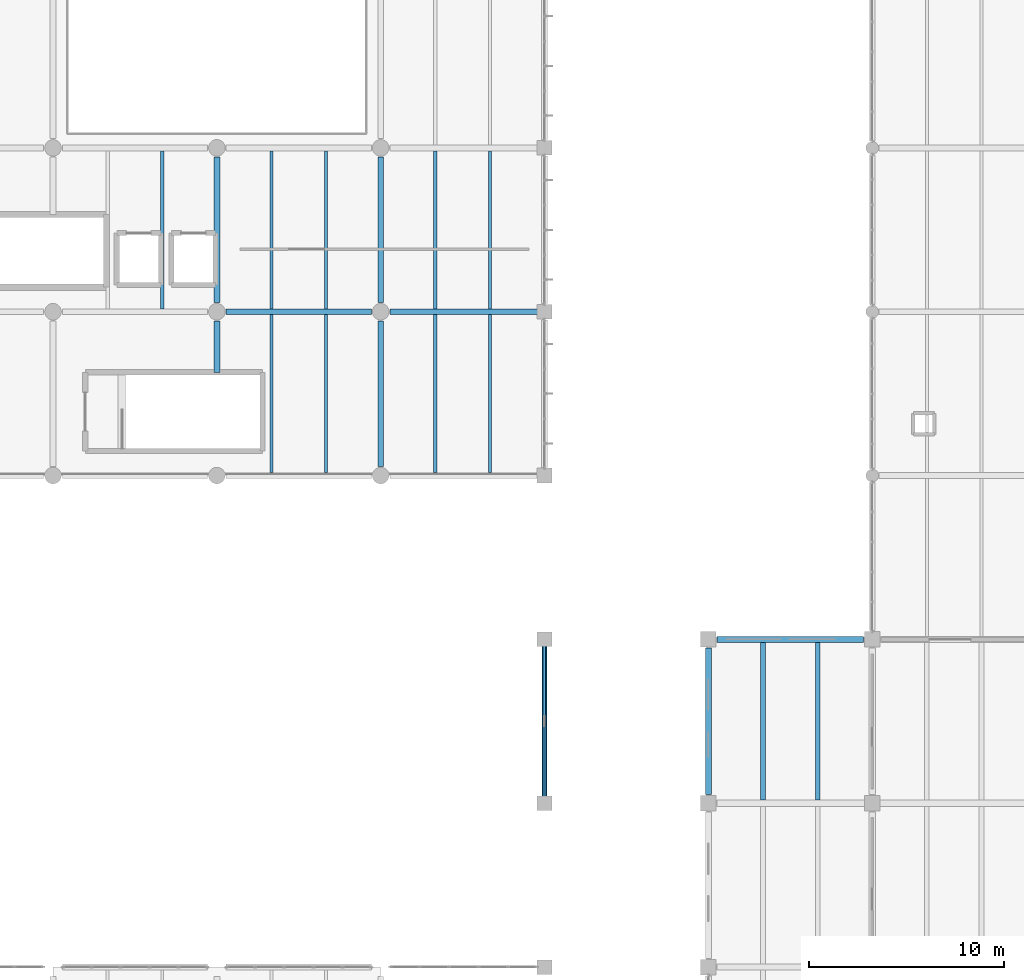
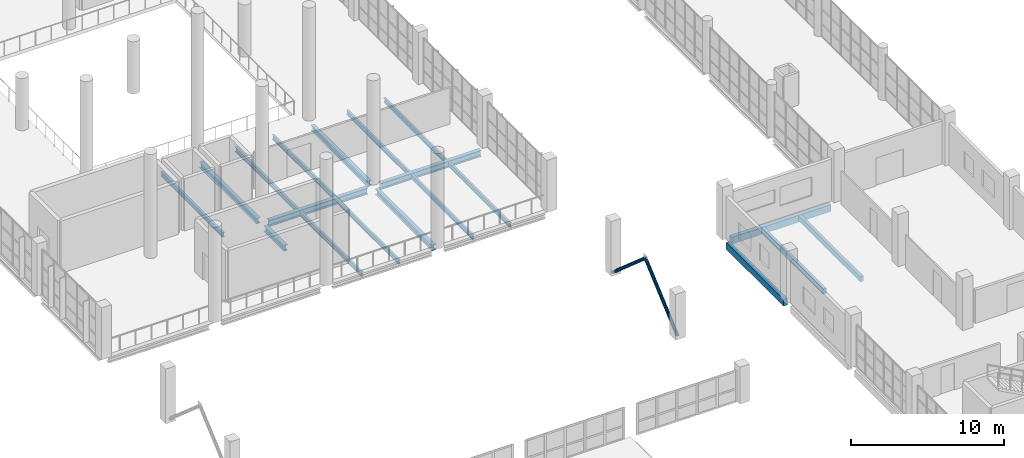
# One storey, part 30 of 177: 19 beams, 2 members.
"""IFC4 building model written with IfcOpenShell, lengths in metres."""

from ifc_helpers import new_model, si_unit, direction, frame, origin, origin_2d, place, context, subcontext, project, spatial, rectangle, hollow_circle, i_section, extrude, material, material_profile, profile_set, type_object, element, save


model = new_model("IFC4")

# Units and contexts
model_context = context("Model", 3, precision=1e-05, world=origin(), true_north=direction((0.0, 1.0)))
body_context = subcontext(model_context, "Body", "Model", "MODEL_VIEW")
ifc_project = project(units=[si_unit("LENGTHUNIT", "METRE"), si_unit("AREAUNIT", "SQUARE_METRE"), si_unit("VOLUMEUNIT", "CUBIC_METRE"), si_unit("PLANEANGLEUNIT", "RADIAN"), si_unit("MASSUNIT", "GRAM", prefix="KILO"), si_unit("THERMODYNAMICTEMPERATUREUNIT", "KELVIN"), si_unit("POWERUNIT", "WATT")], contexts=[model_context])

# Site, building, storey
site_placement = place(None, origin())
site = spatial("IfcSite", under=ifc_project, at=site_placement, CompositionType="ELEMENT")
building_placement = place(site_placement, origin())
building = spatial("IfcBuilding", under=site, at=building_placement, Name="Mavoryth Pier Ferry Terminal", CompositionType="ELEMENT")
storey_placement = place(building_placement, frame((0.0, 0.0, 5.43994140625)))
storey = spatial("IfcBuildingStorey", under=building, at=storey_placement, Name="L01", CompositionType="ELEMENT", Elevation=5.43994140625)

# Beams
ifc_material_1 = material(Name="Steel S355J2", Category="steel")
ifc_material_profile_1 = material_profile(ifc_material_1, i_section(OverallWidth=0.300048828125, OverallDepth=0.43994140625, WebThickness=0.011474609375, FlangeThickness=0.02099609375, FilletRadius=0.027099609375, at=origin_2d()), Name="HEA 450", Category="steel")
ifc_profile_set_1 = profile_set([ifc_material_profile_1], Name="Steel S355J2 - HEA 450")
beam_type_1 = type_object("IfcBeamType", Name="Beam-Steel-HEA450", PredefinedType="BEAM", material=ifc_profile_set_1)
beam_1_placement = place(storey_placement, frame((16.800048828125, 52.47998046875, -0.5), z_axis=(0.0, 1.0, 0.0), x_axis=(-1.0, 0.0, 0.0)))
element("IfcBeam", 1, at=beam_1_placement, inside=storey, type_object=beam_type_1, Name="Beam B01-SB03-0092", PredefinedType="BEAM", context=body_context, shape_type="SweptSolid", body=[
    extrude(i_section(OverallWidth=0.300048828125, OverallDepth=0.43994140625, WebThickness=0.011474609375, FlangeThickness=0.02099609375, FilletRadius=0.027099609375, at=origin_2d()), origin(), (0.0, 0.0, 1.0), 2.64501953125),
])
for number, where, z_axis, x_axis, name in (
    (2, (16.800048828125, 56.074951171875, -0.5), (0.0, 1.0, 0.0), (-1.0, 0.0, 0.0), "Beam B01-SB03-0093"),
    (3, (25.199951171875, 47.675048828125, -0.5), (0.0, 1.0, 0.0), (-1.0, 0.0, 0.0), "Beam B01-SB03-0097"),
    (4, (25.199951171875, 56.074951171875, -0.5), (0.0, 1.0, 0.0), (-1.0, 0.0, 0.0), "Beam B01-SB03-0098"),
):
    element("IfcBeam", number, at=place(storey_placement, frame(where, z_axis=z_axis, x_axis=x_axis)), inside=storey, type_object=beam_type_1, Name=name, PredefinedType="BEAM", context=body_context, shape_type="SweptSolid", body=[
        extrude(i_section(OverallWidth=0.300048828125, OverallDepth=0.43994140625, WebThickness=0.011474609375, FlangeThickness=0.02099609375, FilletRadius=0.027099609375, at=origin_2d()), origin(), (0.0, 0.0, 1.0), 7.449951171875),
    ])
ifc_material_profile_2 = material_profile(ifc_material_1, i_section(OverallWidth=0.300048828125, OverallDepth=0.5, WebThickness=0.014404296875, FlangeThickness=0.028076171875, FilletRadius=0.027099609375, at=origin_2d()), Name="HEB 500", Category="steel")
ifc_profile_set_2 = profile_set([ifc_material_profile_2], Name="Steel S355J2 - HEB 500")
beam_type_2 = type_object("IfcBeamType", Name="Beam-Steel-HEB500", PredefinedType="BEAM", material=ifc_profile_set_2)
beam_2_placement = place(storey_placement, frame((17.27490234375, 55.60009765625, -0.530029296875), z_axis=(1.0, 0.0, 0.0), x_axis=(0.0, 1.0, 0.0)))
element("IfcBeam", 5, at=beam_2_placement, inside=storey, type_object=beam_type_2, Name="Beam B01-SB01-0054", PredefinedType="BEAM", context=body_context, shape_type="SweptSolid", body=[
    extrude(i_section(OverallWidth=0.300048828125, OverallDepth=0.5, WebThickness=0.014404296875, FlangeThickness=0.028076171875, FilletRadius=0.027099609375, at=origin_2d()), origin(), (0.0, 0.0, 1.0), 7.4501953125),
])
beam_3_placement = place(storey_placement, frame((25.675048828125, 55.60009765625, -0.530029296875), z_axis=(1.0, 0.0, 0.0), x_axis=(0.0, 1.0, 0.0)))
element("IfcBeam", 6, at=beam_3_placement, inside=storey, type_object=beam_type_2, Name="Beam B01-SB01-0055", PredefinedType="BEAM", context=body_context, shape_type="SweptSolid", body=[
    extrude(i_section(OverallWidth=0.300048828125, OverallDepth=0.5, WebThickness=0.014404296875, FlangeThickness=0.028076171875, FilletRadius=0.027099609375, at=origin_2d()), origin(), (0.0, 0.0, 1.0), 7.599853515625),
])

# Members
ifc_material_profile_3 = material_profile(ifc_material_1, hollow_circle(Radius=0.122314453125, WallThickness=0.012451171875, at=origin_2d()), Name="CHS 244.5x12.5", Category="steel")
ifc_profile_set_3 = profile_set([ifc_material_profile_3], Name="Steel S355J2 - CHS 244.5x12.5")
member_type = type_object("IfcMemberType", Name="Brace-Diag-CHS245", PredefinedType="BRACE", material=ifc_profile_set_3)
member_1_placement = place(storey_placement, frame((33.60009765625, 30.39990234375, 0.0), z_axis=(0.0, 0.753910743037, 0.656976857685), x_axis=(-1.0, 0.0, 0.0)))
element("IfcMember", 7, at=member_1_placement, inside=storey, type_object=member_type, Name="Steel Member MB-L01-0314", PredefinedType="BRACE", context=body_context, shape_type="SweptSolid", body=[
    extrude(hollow_circle(Radius=0.122314453125, WallThickness=0.012451171875, at=origin_2d()), origin(), (0.0, 0.0, 1.0), 5.5712890625),
])
member_2_placement = place(storey_placement, frame((33.60009765625, 38.800048828125, 0.0), z_axis=(0.0, -0.753891827784, 0.656998563165), x_axis=(1.0, 0.0, 0.0)))
element("IfcMember", 8, at=member_2_placement, inside=storey, type_object=member_type, Name="Steel Member MB-L01-0315", PredefinedType="BRACE", context=body_context, shape_type="SweptSolid", body=[
    extrude(hollow_circle(Radius=0.122314453125, WallThickness=0.012451171875, at=origin_2d()), origin(), (0.0, 0.0, 1.0), 5.571044921875),
])

# Beams
ifc_material_2 = material(Name="Concrete C35/45", Category="concrete")
ifc_material_profile_4 = material_profile(ifc_material_2, rectangle(XDim=0.239990234375, YDim=0.419921875, at=origin_2d()), Name="RC 240x420", Category="concrete")
ifc_profile_set_4 = profile_set([ifc_material_profile_4], Name="Concrete C35/45 - RC 240x420")
beam_type_3 = type_object("IfcBeamType", Name="Joist-RC-240x420", PredefinedType="JOIST", material=ifc_profile_set_4)
for number, where, z_axis, x_axis, name in (
    (9, (44.800048828125, 30.574951171875, -0.469970703125), (0.0, 1.0, 0.0), (-1.0, 0.0, 0.0), "Beam B01-BJ04-0598"),
    (10, (47.60009765625, 30.574951171875, -0.469970703125), (0.0, 1.0, 0.0), (-1.0, 0.0, 0.0), "Beam B01-BJ04-0599"),
):
    element("IfcBeam", number, at=place(storey_placement, frame(where, z_axis=z_axis, x_axis=x_axis)), inside=storey, type_object=beam_type_3, Name=name, PredefinedType="JOIST", context=body_context, shape_type="SweptSolid", body=[
        extrude(rectangle(XDim=0.239990234375, YDim=0.419921875, at=origin_2d()), origin(), (0.0, 0.0, 1.0), 8.074951171875),
    ])
ifc_material_profile_5 = material_profile(ifc_material_1, i_section(OverallWidth=0.169921875, OverallDepth=0.360107421875, WebThickness=0.008056640625, FlangeThickness=0.0126953125, FilletRadius=0.01806640625, at=origin_2d()), Name="IPE 360", Category="steel")
ifc_profile_set_5 = profile_set([ifc_material_profile_5], Name="Steel S355J2 - IPE 360")
beam_type_4 = type_object("IfcBeamType", Name="Joist-Steel-IPE360", PredefinedType="JOIST", material=ifc_profile_set_5)
beam_4_placement = place(storey_placement, frame((14.0, 55.75, -0.4599609375), z_axis=(0.0, 1.0, 0.0), x_axis=(-1.0, 0.0, 0.0)))
element("IfcBeam", 11, at=beam_4_placement, inside=storey, type_object=beam_type_4, Name="Beam B01-SJ02-0122", PredefinedType="JOIST", context=body_context, shape_type="SweptSolid", body=[
    extrude(i_section(OverallWidth=0.169921875, OverallDepth=0.360107421875, WebThickness=0.008056640625, FlangeThickness=0.0126953125, FilletRadius=0.01806640625, at=origin_2d()), origin(), (0.0, 0.0, 1.0), 8.10009765625),
])
for number, where, z_axis, x_axis, name in (
    (12, (19.60009765625, 47.35009765625, -0.4599609375), (0.0, 1.0, 0.0), (-1.0, 0.0, 0.0), "Beam B01-SJ02-0129"),
    (13, (22.39990234375, 47.35009765625, -0.4599609375), (0.0, 1.0, 0.0), (-1.0, 0.0, 0.0), "Beam B01-SJ02-0130"),
):
    element("IfcBeam", number, at=place(storey_placement, frame(where, z_axis=z_axis, x_axis=x_axis)), inside=storey, type_object=beam_type_4, Name=name, PredefinedType="JOIST", context=body_context, shape_type="SweptSolid", body=[
        extrude(i_section(OverallWidth=0.169921875, OverallDepth=0.360107421875, WebThickness=0.008056640625, FlangeThickness=0.0126953125, FilletRadius=0.01806640625, at=origin_2d()), origin(), (0.0, 0.0, 1.0), 8.099853515625),
    ])
for number, where, z_axis, x_axis, name in (
    (14, (19.60009765625, 55.75, -0.4599609375), (0.0, 1.0, 0.0), (-1.0, 0.0, 0.0), "Beam B01-SJ02-0131"),
    (15, (22.39990234375, 55.75, -0.4599609375), (0.0, 1.0, 0.0), (-1.0, 0.0, 0.0), "Beam B01-SJ02-0132"),
):
    element("IfcBeam", number, at=place(storey_placement, frame(where, z_axis=z_axis, x_axis=x_axis)), inside=storey, type_object=beam_type_4, Name=name, PredefinedType="JOIST", context=body_context, shape_type="SweptSolid", body=[
        extrude(i_section(OverallWidth=0.169921875, OverallDepth=0.360107421875, WebThickness=0.008056640625, FlangeThickness=0.0126953125, FilletRadius=0.01806640625, at=origin_2d()), origin(), (0.0, 0.0, 1.0), 8.10009765625),
    ])
for number, where, z_axis, x_axis, name in (
    (16, (28.0, 47.35009765625, -0.4599609375), (0.0, 1.0, 0.0), (-1.0, 0.0, 0.0), "Beam B01-SJ02-0135"),
    (17, (30.800048828125, 47.35009765625, -0.4599609375), (0.0, 1.0, 0.0), (-1.0, 0.0, 0.0), "Beam B01-SJ02-0136"),
):
    element("IfcBeam", number, at=place(storey_placement, frame(where, z_axis=z_axis, x_axis=x_axis)), inside=storey, type_object=beam_type_4, Name=name, PredefinedType="JOIST", context=body_context, shape_type="SweptSolid", body=[
        extrude(i_section(OverallWidth=0.169921875, OverallDepth=0.360107421875, WebThickness=0.008056640625, FlangeThickness=0.0126953125, FilletRadius=0.01806640625, at=origin_2d()), origin(), (0.0, 0.0, 1.0), 8.099853515625),
    ])
for number, where, z_axis, x_axis, name in (
    (18, (28.0, 55.75, -0.4599609375), (0.0, 1.0, 0.0), (-1.0, 0.0, 0.0), "Beam B01-SJ02-0137"),
    (19, (30.800048828125, 55.75, -0.4599609375), (0.0, 1.0, 0.0), (-1.0, 0.0, 0.0), "Beam B01-SJ02-0138"),
):
    element("IfcBeam", number, at=place(storey_placement, frame(where, z_axis=z_axis, x_axis=x_axis)), inside=storey, type_object=beam_type_4, Name=name, PredefinedType="JOIST", context=body_context, shape_type="SweptSolid", body=[
        extrude(i_section(OverallWidth=0.169921875, OverallDepth=0.360107421875, WebThickness=0.008056640625, FlangeThickness=0.0126953125, FilletRadius=0.01806640625, at=origin_2d()), origin(), (0.0, 0.0, 1.0), 8.10009765625),
    ])
ifc_material_profile_6 = material_profile(ifc_material_2, rectangle(XDim=0.300048828125, YDim=0.5400390625, at=origin_2d()), Name="RC 300x540", Category="concrete")
ifc_profile_set_6 = profile_set([ifc_material_profile_6], Name="Concrete C35/45 - RC 300x540")
beam_type_5 = type_object("IfcBeamType", Name="Spandrel-RC-300x540", PredefinedType="SPANDREL", material=ifc_profile_set_6)
for number, where, z_axis, x_axis, name in (
    (20, (42.449951171875, 38.800048828125, -0.530029296875), (1.0, 0.0, 0.0), (0.0, 1.0, 0.0), "Beam B01-SP02-0589"),
    (21, (42.0, 30.85009765625, -0.530029296875), (0.0, 1.0, 0.0), (-1.0, 0.0, 0.0), "Beam B01-SP02-0591"),
):
    element("IfcBeam", number, at=place(storey_placement, frame(where, z_axis=z_axis, x_axis=x_axis)), inside=storey, type_object=beam_type_5, Name=name, PredefinedType="SPANDREL", context=body_context, shape_type="SweptSolid", body=[
        extrude(rectangle(XDim=0.300048828125, YDim=0.5400390625, at=origin_2d()), origin(), (0.0, 0.0, 1.0), 7.5),
    ])

save(model, "model.ifc")
